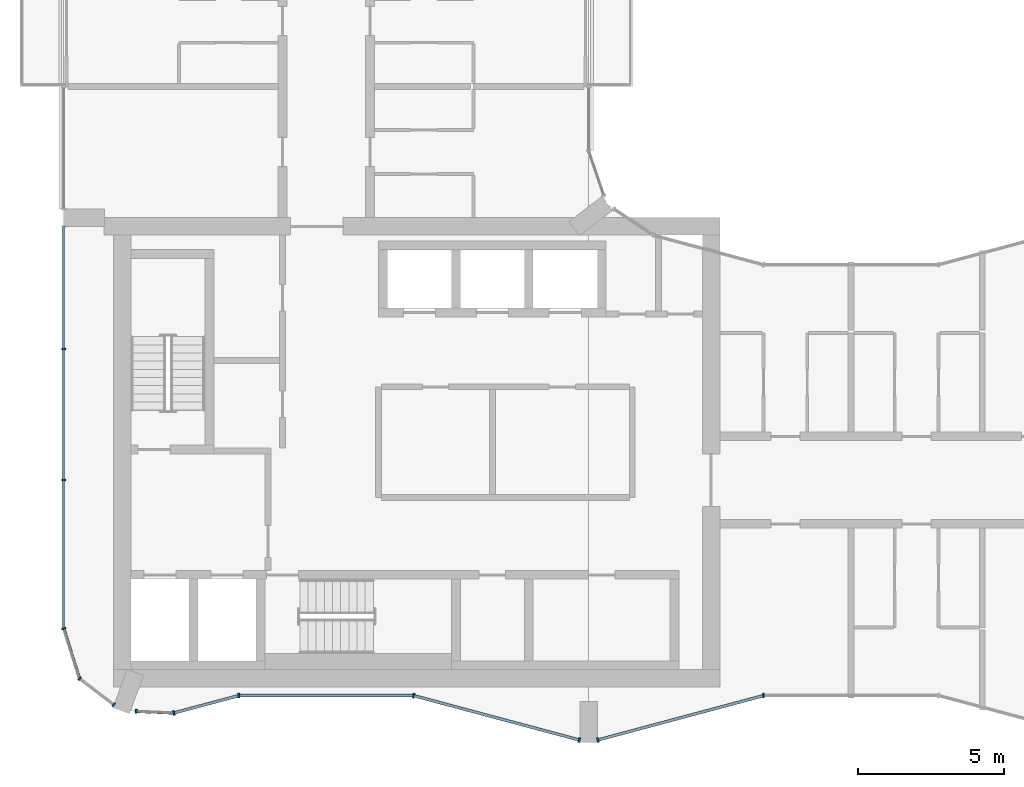
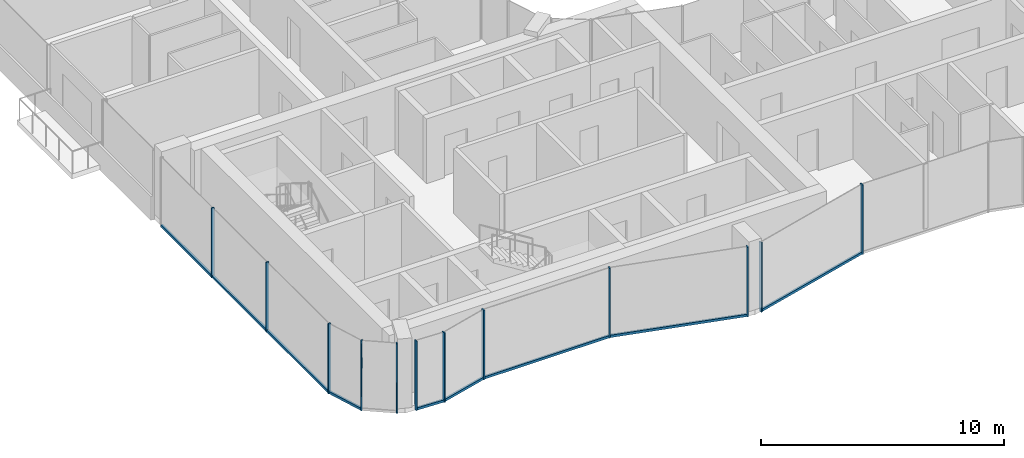
# One storey, part 2 of 16: 19 members, 9 elements without a shape of their own.
"""IFC4 building model written with IfcOpenShell, lengths in metres."""

from ifc_helpers import new_model, si_unit, direction, frame, origin, origin_2d, place, context, subcontext, project, spatial, rectangle, extrude, material, layer, layer_set, material_profile, profile_set, type_object, element, aggregate, save


model = new_model("IFC4")

# Units and contexts
model_context = context("Model", 3, precision=1e-05, world=origin(), true_north=direction((0.0, 1.0)))
body_context = subcontext(model_context, "Body", "Model", "MODEL_VIEW")
ifc_project = project(units=[si_unit("LENGTHUNIT", "METRE"), si_unit("AREAUNIT", "SQUARE_METRE"), si_unit("VOLUMEUNIT", "CUBIC_METRE"), si_unit("PLANEANGLEUNIT", "RADIAN"), si_unit("MASSUNIT", "GRAM", prefix="KILO")], contexts=[model_context])

# Site, building, storey
site_placement = place(None, origin())
site = spatial("IfcSite", under=ifc_project, at=site_placement, CompositionType="ELEMENT")
building_placement = place(site_placement, origin())
building = spatial("IfcBuilding", under=site, at=building_placement, Name="Plateau Cross Towers", CompositionType="ELEMENT")
storey_placement = place(building_placement, frame((0.0, 0.0, 160.39990234375)))
storey = spatial("IfcBuildingStorey", under=building, at=storey_placement, Name="L41", CompositionType="ELEMENT", Elevation=160.39990234375)

# Curtain wall, members
ifc_material_1 = material(Name="Dark low-iron glass", Category="glass")
ifc_layer_1 = layer(ifc_material_1, 0.239990234375)
ifc_layer_set_1 = layer_set([ifc_layer_1], Name="Dark low-iron glass")
curtain_wall_type_1 = type_object("IfcCurtainWallType", Name="Curtain wall flush unitised CW-B", PredefinedType="NOTDEFINED", material=ifc_layer_set_1)
curtain_wall_1_placement = place(storey_placement, origin())
curtain_wall_1 = element("IfcCurtainWall", 1, at=curtain_wall_1_placement, inside=storey, type_object=curtain_wall_type_1, Name="ENV/A/L41/A0_177", PredefinedType="NOTDEFINED")
ifc_material_2 = material(Name="Black anodised aluminium", Category="aluminium")
ifc_material_profile_1 = material_profile(ifc_material_2, rectangle(XDim=0.06005859375, YDim=0.139892578125, at=origin_2d()), Name="MULLION 60x140")
ifc_profile_set_1 = profile_set([ifc_material_profile_1], Name="Black anodised aluminium")
member_type_1 = type_object("IfcMemberType", Name="Mullion 60x140 flush unitised", PredefinedType="MULLION", material=ifc_profile_set_1)
member_1_placement = place(storey_placement, frame((0.0, 13.5, -0.25), z_axis=(0.0, 0.0, 1.0), x_axis=(0.0, -1.0, 0.0)))
member_1 = element("IfcMember", 2, at=member_1_placement, type_object=member_type_1, Name="CW-B mullion 2", PredefinedType="MULLION", context=body_context, shape_type="SweptSolid", body=[
    extrude(rectangle(XDim=0.06005859375, YDim=0.139892578125, at=origin_2d()), origin(), (0.0, 0.0, 1.0), 3.5),
])
member_2_placement = place(storey_placement, frame((0.0, 9.0, -0.25), z_axis=(0.0, 0.0, 1.0), x_axis=(0.0, -1.0, 0.0)))
member_2 = element("IfcMember", 3, at=member_2_placement, type_object=member_type_1, Name="CW-B mullion 3", PredefinedType="MULLION", context=body_context, shape_type="SweptSolid", body=[
    extrude(rectangle(XDim=0.06005859375, YDim=0.139892578125, at=origin_2d()), origin(), (0.0, 0.0, 1.0), 3.5),
])

# Curtain wall, member
curtain_wall_2_placement = place(storey_placement, origin())
curtain_wall_2 = element("IfcCurtainWall", 4, at=curtain_wall_2_placement, inside=storey, type_object=curtain_wall_type_1, Name="ENV/A/L41/A0_39", PredefinedType="NOTDEFINED")
member_3_placement = place(storey_placement, frame((0.0, 3.9091796875, -0.25), z_axis=(0.0, 0.0, 1.0), x_axis=(0.300686174994, -0.95372313811, 0.0)))
member_3 = element("IfcMember", 5, at=member_3_placement, type_object=member_type_1, Name="CW-B mullion 1", PredefinedType="MULLION", context=body_context, shape_type="SweptSolid", body=[
    extrude(rectangle(XDim=0.06005859375, YDim=0.139892578125, at=origin_2d()), origin(), (0.0, 0.0, 1.0), 3.5),
])

# Curtain wall, members
curtain_wall_3_placement = place(storey_placement, origin())
curtain_wall_3 = element("IfcCurtainWall", 6, at=curtain_wall_3_placement, inside=storey, type_object=curtain_wall_type_1, Name="ENV/A/L41/A5_22", PredefinedType="NOTDEFINED")
member_4_placement = place(storey_placement, frame((0.54248046875, 2.1884765625, -0.25), z_axis=(0.0, 0.0, 1.0), x_axis=(0.793315514529, -0.608810721331, 0.0)))
member_4 = element("IfcMember", 7, at=member_4_placement, type_object=member_type_1, Name="CW-B mullion 1", PredefinedType="MULLION", context=body_context, shape_type="SweptSolid", body=[
    extrude(rectangle(XDim=0.06005859375, YDim=0.139892578125, at=origin_2d()), origin(), (0.0, 0.0, 1.0), 3.5),
])
member_5_placement = place(storey_placement, frame((1.709716796875, 1.292724609375, -0.25), z_axis=(0.0, 0.0, 1.0), x_axis=(0.793315514529, -0.608810721331, 0.0)))
member_5 = element("IfcMember", 8, at=member_5_placement, type_object=member_type_1, Name="CW-B mullion 2", PredefinedType="MULLION", context=body_context, shape_type="SweptSolid", body=[
    extrude(rectangle(XDim=0.06005859375, YDim=0.139892578125, at=origin_2d()), origin(), (0.0, 0.0, 1.0), 3.5),
])
aggregate(curtain_wall_3, [member_4, member_5])

# Curtain wall, member
curtain_wall_4_placement = place(storey_placement, origin())
curtain_wall_4 = element("IfcCurtainWall", 9, at=curtain_wall_4_placement, inside=storey, type_object=curtain_wall_type_1, Name="ENV/A/L41/A25_11", PredefinedType="NOTDEFINED")
member_6_placement = place(storey_placement, frame((2.483642578125, 1.06787109375, -0.25), z_axis=(0.0, 0.0, 1.0), x_axis=(0.999043701491, -0.043722791671, 0.0)))
member_6 = element("IfcMember", 10, at=member_6_placement, type_object=member_type_1, Name="CW-B mullion 1", PredefinedType="MULLION", context=body_context, shape_type="SweptSolid", body=[
    extrude(rectangle(XDim=0.06005859375, YDim=0.139892578125, at=origin_2d()), origin(), (0.0, 0.0, 1.0), 3.5),
])

ifc_layer_2 = layer(ifc_material_1, 0.260009765625)
ifc_layer_set_2 = layer_set([ifc_layer_2], Name="Dark low-iron glass")
curtain_wall_type_2 = type_object("IfcCurtainWallType", Name="Curtain wall fluted unitised CW-A", PredefinedType="NOTDEFINED", material=ifc_layer_set_2)
curtain_wall_5_placement = place(storey_placement, origin())
curtain_wall_5 = element("IfcCurtainWall", 11, at=curtain_wall_5_placement, inside=storey, type_object=curtain_wall_type_2, Name="ENV/A/L41/A38_10", PredefinedType="NOTDEFINED")
ifc_material_profile_2 = material_profile(ifc_material_2, rectangle(XDim=0.06005859375, YDim=0.159912109375, at=origin_2d()), Name="MULLION 60x160")
ifc_profile_set_2 = profile_set([ifc_material_profile_2], Name="Black anodised aluminium")
member_type_2 = type_object("IfcMemberType", Name="Mullion 60x160 fluted unitised", PredefinedType="MULLION", material=ifc_profile_set_2)
member_7_placement = place(storey_placement, frame((3.776123046875, 1.01123046875, -0.25), z_axis=(0.0, 0.0, 1.0), x_axis=(0.965957962328, 0.258699081978, 0.0)))
member_7 = element("IfcMember", 12, at=member_7_placement, type_object=member_type_2, Name="CW-A mullion 1", PredefinedType="MULLION", context=body_context, shape_type="SweptSolid", body=[
    extrude(rectangle(XDim=0.06005859375, YDim=0.159912109375, at=origin_2d()), origin(), (0.0, 0.0, 1.0), 3.5),
])

curtain_wall_6_placement = place(storey_placement, origin())
curtain_wall_6 = element("IfcCurtainWall", 13, at=curtain_wall_6_placement, inside=storey, type_object=curtain_wall_type_2, Name="ENV/A/L41/A60_16", PredefinedType="NOTDEFINED")
member_8_placement = place(storey_placement, frame((6.0, 1.60693359375, -0.25), z_axis=(0.0, 0.0, 1.0), x_axis=(1.0, 0.0, 0.0)))
member_8 = element("IfcMember", 14, at=member_8_placement, type_object=member_type_2, Name="CW-A mullion 1", PredefinedType="MULLION", context=body_context, shape_type="SweptSolid", body=[
    extrude(rectangle(XDim=0.06005859375, YDim=0.159912109375, at=origin_2d()), origin(), (0.0, 0.0, 1.0), 3.5),
])

# Curtain wall, members
curtain_wall_7_placement = place(storey_placement, origin())
curtain_wall_7 = element("IfcCurtainWall", 15, at=curtain_wall_7_placement, inside=storey, type_object=curtain_wall_type_2, Name="ENV/A/L41/A120_16", PredefinedType="NOTDEFINED")
member_9_placement = place(storey_placement, frame((12.0, 1.60693359375, -0.25), z_axis=(0.0, 0.0, 1.0), x_axis=(0.965957983404, -0.258699003279, 0.0)))
member_9 = element("IfcMember", 16, at=member_9_placement, type_object=member_type_2, Name="CW-A mullion 1", PredefinedType="MULLION", context=body_context, shape_type="SweptSolid", body=[
    extrude(rectangle(XDim=0.06005859375, YDim=0.159912109375, at=origin_2d()), origin(), (0.0, 0.0, 1.0), 3.5),
])
member_10_placement = place(storey_placement, frame((17.68212890625, 0.085205078125, -0.25), z_axis=(0.0, 0.0, 1.0), x_axis=(0.965957983404, -0.258699003279, 0.0)))
member_10 = element("IfcMember", 17, at=member_10_placement, type_object=member_type_2, Name="CW-A mullion 2", PredefinedType="MULLION", context=body_context, shape_type="SweptSolid", body=[
    extrude(rectangle(XDim=0.06005859375, YDim=0.159912109375, at=origin_2d()), origin(), (0.0, 0.0, 1.0), 3.5),
])

# Curtain wall, member
curtain_wall_8_placement = place(storey_placement, origin())
curtain_wall_8 = element("IfcCurtainWall", 18, at=curtain_wall_8_placement, inside=storey, type_object=curtain_wall_type_2, Name="ENV/A/L41/A183_1", PredefinedType="NOTDEFINED")
member_11_placement = place(storey_placement, frame((18.31787109375, 0.085205078125, -0.25), z_axis=(0.0, 0.0, 1.0), x_axis=(0.965957983404, 0.258699003279, 0.0)))
member_11 = element("IfcMember", 19, at=member_11_placement, type_object=member_type_2, Name="CW-A mullion 1", PredefinedType="MULLION", context=body_context, shape_type="SweptSolid", body=[
    extrude(rectangle(XDim=0.06005859375, YDim=0.159912109375, at=origin_2d()), origin(), (0.0, 0.0, 1.0), 3.5),
])

curtain_wall_9_placement = place(storey_placement, origin())
curtain_wall_9 = element("IfcCurtainWall", 20, at=curtain_wall_9_placement, inside=storey, type_object=curtain_wall_type_2, Name="ENV/A/L41/A240_16", PredefinedType="NOTDEFINED")
member_12_placement = place(storey_placement, frame((24.0, 1.60693359375, -0.25), z_axis=(0.0, 0.0, 1.0), x_axis=(1.0, 0.0, 0.0)))
member_12 = element("IfcMember", 21, at=member_12_placement, type_object=member_type_2, Name="CW-A mullion 1", PredefinedType="MULLION", context=body_context, shape_type="SweptSolid", body=[
    extrude(rectangle(XDim=0.06005859375, YDim=0.159912109375, at=origin_2d()), origin(), (0.0, 0.0, 1.0), 3.5),
])
aggregate(curtain_wall_9, [member_12])

# Member
ifc_material_profile_3 = material_profile(ifc_material_2, rectangle(XDim=0.10009765625, YDim=0.1201171875, at=origin_2d()), Name="TRANSOM 100x120")
ifc_profile_set_3 = profile_set([ifc_material_profile_3], Name="Black anodised aluminium")
member_type_3 = type_object("IfcMemberType", Name="Transom 100x120 flush unitised", PredefinedType="USERDEFINED", material=ifc_profile_set_3)
member_13_placement = place(storey_placement, frame((0.0, 17.699951171875, -0.18994140625), z_axis=(0.0, -1.0, 0.0), x_axis=(1.0, 0.0, 0.0)))
member_13 = element("IfcMember", 22, at=member_13_placement, type_object=member_type_3, Name="CW-B transom", ObjectType="TRANSOM", PredefinedType="USERDEFINED", context=body_context, shape_type="SweptSolid", body=[
    extrude(rectangle(XDim=0.10009765625, YDim=0.1201171875, at=origin_2d()), origin(), (0.0, 0.0, 1.0), 13.790771484375),
])

aggregate(curtain_wall_1, [member_1, member_2, member_13])

member_14_placement = place(storey_placement, frame((0.0, 3.9091796875, -0.18994140625), z_axis=(0.30067799945, -0.953725715626, 0.0), x_axis=(0.953725715626, 0.30067799945, 0.0)))
member_14 = element("IfcMember", 23, at=member_14_placement, type_object=member_type_3, Name="CW-B transom", ObjectType="TRANSOM", PredefinedType="USERDEFINED", context=body_context, shape_type="SweptSolid", body=[
    extrude(rectangle(XDim=0.10009765625, YDim=0.1201171875, at=origin_2d()), origin(), (0.0, 0.0, 1.0), 1.80419921875),
])

aggregate(curtain_wall_2, [member_3, member_14])

member_15_placement = place(storey_placement, frame((2.483642578125, 1.06787109375, -0.18994140625), z_axis=(0.999041144614, -0.043781175963, 0.0), x_axis=(0.043781175963, 0.999041144614, 0.0)))
member_15 = element("IfcMember", 24, at=member_15_placement, type_object=member_type_3, Name="CW-B transom", ObjectType="TRANSOM", PredefinedType="USERDEFINED", context=body_context, shape_type="SweptSolid", body=[
    extrude(rectangle(XDim=0.10009765625, YDim=0.1201171875, at=origin_2d()), origin(), (0.0, 0.0, 1.0), 1.293701171875),
])

aggregate(curtain_wall_4, [member_6, member_15])

ifc_material_profile_4 = material_profile(ifc_material_2, rectangle(XDim=0.10009765625, YDim=0.1201171875, at=origin_2d()), Name="TRANSOM 100x120")
ifc_profile_set_4 = profile_set([ifc_material_profile_4], Name="Black anodised aluminium")
member_type_4 = type_object("IfcMemberType", Name="Transom 100x120 fluted unitised", PredefinedType="USERDEFINED", material=ifc_profile_set_4)
member_16_placement = place(storey_placement, frame((3.776123046875, 1.01123046875, -0.18994140625), z_axis=(0.965945685136, 0.258744919501, 0.0), x_axis=(-0.258744919501, 0.965945685136, 0.0)))
member_16 = element("IfcMember", 25, at=member_16_placement, type_object=member_type_4, Name="CW-A transom", ObjectType="TRANSOM", PredefinedType="USERDEFINED", context=body_context, shape_type="SweptSolid", body=[
    extrude(rectangle(XDim=0.10009765625, YDim=0.1201171875, at=origin_2d()), origin(), (0.0, 0.0, 1.0), 2.30224609375),
])

aggregate(curtain_wall_5, [member_7, member_16])

member_17_placement = place(storey_placement, frame((6.0, 1.60693359375, -0.18994140625), z_axis=(1.0, 0.0, 0.0), x_axis=(0.0, 1.0, 0.0)))
member_17 = element("IfcMember", 26, at=member_17_placement, type_object=member_type_4, Name="CW-A transom", ObjectType="TRANSOM", PredefinedType="USERDEFINED", context=body_context, shape_type="SweptSolid", body=[
    extrude(rectangle(XDim=0.10009765625, YDim=0.1201171875, at=origin_2d()), origin(), (0.0, 0.0, 1.0), 6.0),
])

aggregate(curtain_wall_6, [member_8, member_17])

member_18_placement = place(storey_placement, frame((12.0, 1.60693359375, -0.18994140625), z_axis=(0.965959534794, -0.258693210465, 0.0), x_axis=(0.258693210465, 0.965959534794, 0.0)))
member_18 = element("IfcMember", 27, at=member_18_placement, type_object=member_type_4, Name="CW-A transom", ObjectType="TRANSOM", PredefinedType="USERDEFINED", context=body_context, shape_type="SweptSolid", body=[
    extrude(rectangle(XDim=0.10009765625, YDim=0.1201171875, at=origin_2d()), origin(), (0.0, 0.0, 1.0), 5.88232421875),
])

aggregate(curtain_wall_7, [member_9, member_10, member_18])

member_19_placement = place(storey_placement, frame((18.31787109375, 0.085205078125, -0.18994140625), z_axis=(0.965959534794, 0.258693210465, 0.0), x_axis=(-0.258693210465, 0.965959534794, 0.0)))
member_19 = element("IfcMember", 28, at=member_19_placement, type_object=member_type_4, Name="CW-A transom", ObjectType="TRANSOM", PredefinedType="USERDEFINED", context=body_context, shape_type="SweptSolid", body=[
    extrude(rectangle(XDim=0.10009765625, YDim=0.1201171875, at=origin_2d()), origin(), (0.0, 0.0, 1.0), 5.88232421875),
])

aggregate(curtain_wall_8, [member_11, member_19])

save(model, "model.ifc")
